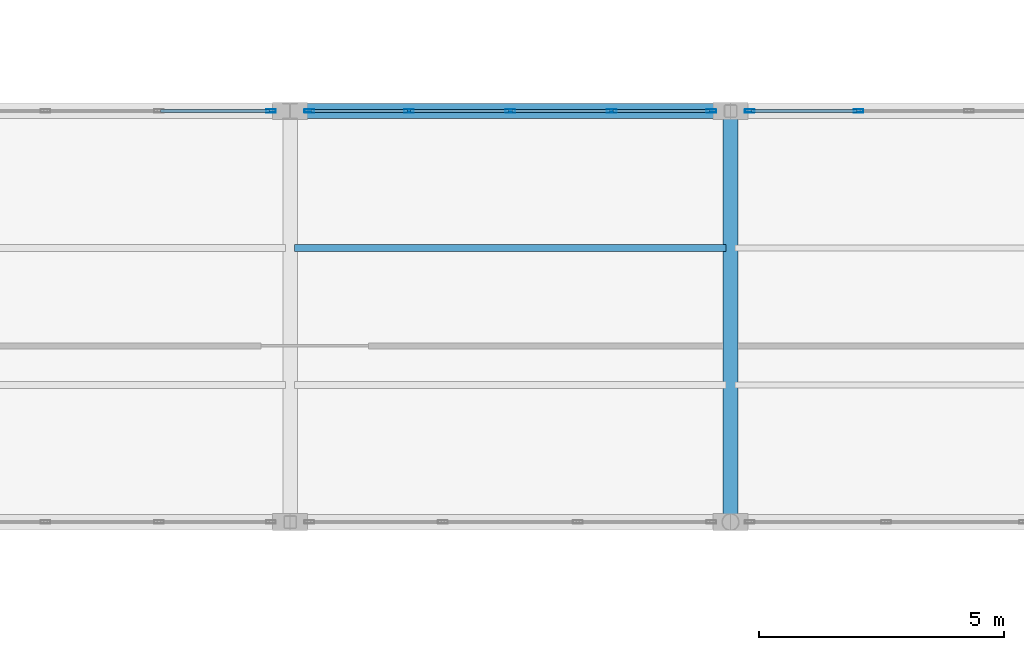
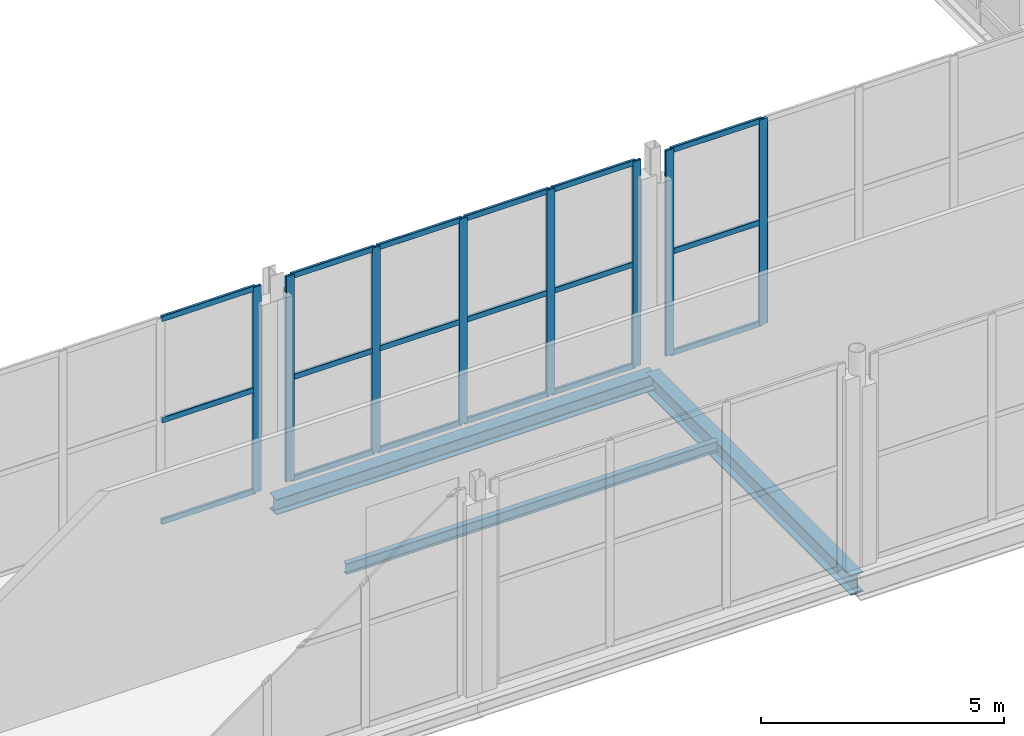
# One storey, part 88 of 147: 26 members, 3 beams, 3 elements without a shape of their own.
"""IFC4 building model written with IfcOpenShell, lengths in metres."""

from ifc_helpers import new_model, si_unit, direction, frame, origin, origin_2d, place, context, subcontext, project, spatial, hollow_rectangle, i_section, extrude, material, layer, layer_set, material_profile, profile_set, type_object, element, aggregate, save


model = new_model("IFC4")

# Units and contexts
model_context = context("Model", 3, precision=1e-05, world=origin(), true_north=direction((0.0, 1.0)))
body_context = subcontext(model_context, "Body", "Model", "MODEL_VIEW")
ifc_project = project(units=[si_unit("LENGTHUNIT", "METRE"), si_unit("AREAUNIT", "SQUARE_METRE"), si_unit("VOLUMEUNIT", "CUBIC_METRE"), si_unit("PLANEANGLEUNIT", "RADIAN"), si_unit("MASSUNIT", "GRAM", prefix="KILO")], contexts=[model_context])

# Site, building, storey
site_placement = place(None, origin())
site = spatial("IfcSite", under=ifc_project, at=site_placement, CompositionType="ELEMENT")
building_placement = place(site_placement, origin())
building = spatial("IfcBuilding", under=site, at=building_placement, Name="Vekula Escarpment Museum", CompositionType="ELEMENT")
storey_placement = place(building_placement, frame((0.0, 0.0, 7.800048828125)))
storey = spatial("IfcBuildingStorey", under=building, at=storey_placement, Name="L02", CompositionType="ELEMENT", Elevation=7.800048828125)

# Beams
ifc_material_1 = material(Name="Steel S355", Category="steel")
ifc_material_profile_1 = material_profile(ifc_material_1, i_section(OverallWidth=0.300048828125, OverallDepth=0.5, WebThickness=0.014404296875, FlangeThickness=0.028076171875, FilletRadius=0.027099609375, at=origin_2d()), Name="HEB 500")
ifc_profile_set_1 = profile_set([ifc_material_profile_1], Name="Steel S355")
beam_type_1 = type_object("IfcBeamType", Name="BM-GIRD-HEB500", PredefinedType="BEAM", material=ifc_profile_set_1)
beam_1_placement = place(storey_placement, frame((155.0, 68.0, -0.510009765625), z_axis=(0.0, 1.0, 0.0), x_axis=(-1.0, 0.0, 0.0)))
element("IfcBeam", 1, at=beam_1_placement, inside=storey, type_object=beam_type_1, Name="Beam Y L02 1219", PredefinedType="BEAM", context=body_context, shape_type="SweptSolid", body=[
    extrude(i_section(OverallWidth=0.300048828125, OverallDepth=0.5, WebThickness=0.014404296875, FlangeThickness=0.028076171875, FilletRadius=0.027099609375, at=origin_2d()), origin(), (0.0, 0.0, 1.0), 8.39990234375),
])
ifc_material_2 = material(Name="Steel S355", Category="steel")
ifc_material_profile_2 = material_profile(ifc_material_2, i_section(OverallWidth=0.135009765625, OverallDepth=0.27001953125, WebThickness=0.006591796875, FlangeThickness=0.01025390625, FilletRadius=0.014892578125, at=origin_2d()), Name="IPE 270")
ifc_profile_set_2 = profile_set([ifc_material_profile_2], Name="Steel S355")
beam_type_2 = type_object("IfcBeamType", Name="BM-JST-IPE270", PredefinedType="JOIST", material=ifc_profile_set_2)
beam_2_placement = place(storey_placement, frame((146.090087890625, 73.60009765625, -0.39501953125), z_axis=(1.0, 0.0, 0.0), x_axis=(0.0, 1.0, 0.0)))
element("IfcBeam", 2, at=beam_2_placement, inside=storey, type_object=beam_type_2, Name="Secondary Joist L02 0834", PredefinedType="JOIST", context=body_context, shape_type="SweptSolid", body=[
    extrude(i_section(OverallWidth=0.135009765625, OverallDepth=0.27001953125, WebThickness=0.006591796875, FlangeThickness=0.01025390625, FilletRadius=0.014892578125, at=origin_2d()), origin(), (0.0, 0.0, 1.0), 8.81982421875),
])
ifc_material_3 = material(Name="Steel S355", Category="steel")
ifc_material_profile_3 = material_profile(ifc_material_3, i_section(OverallWidth=0.300048828125, OverallDepth=0.389892578125, WebThickness=0.010986328125, FlangeThickness=0.01904296875, FilletRadius=0.027099609375, at=origin_2d()), Name="HEA 400")
ifc_profile_set_3 = profile_set([ifc_material_profile_3], Name="Steel S355")
beam_type_3 = type_object("IfcBeamType", Name="BM-SPAN-HEA400", PredefinedType="SPANDREL", material=ifc_profile_set_3)
beam_3_placement = place(storey_placement, frame((146.0, 76.39990234375, -0.455078125), z_axis=(1.0, 0.0, 0.0), x_axis=(0.0, 1.0, 0.0)))
element("IfcBeam", 3, at=beam_3_placement, inside=storey, type_object=beam_type_3, Name="Beam X L02 0926", PredefinedType="SPANDREL", context=body_context, shape_type="SweptSolid", body=[
    extrude(i_section(OverallWidth=0.300048828125, OverallDepth=0.389892578125, WebThickness=0.010986328125, FlangeThickness=0.01904296875, FilletRadius=0.027099609375, at=origin_2d()), origin(), (0.0, 0.0, 1.0), 9.0),
])

# Curtain wall, members
ifc_material_4 = material(Name="Aluminium thermally broken framing", Category="aluminium")
ifc_layer_1 = layer(ifc_material_4, 0.169921875)
ifc_layer_set_1 = layer_set([ifc_layer_1], Name="Aluminium thermally broken framing")
curtain_wall_type_1 = type_object("IfcCurtainWallType", Name="CW-SYS-10", PredefinedType="NOTDEFINED", material=ifc_layer_set_1)
curtain_wall_1_placement = place(storey_placement, origin())
curtain_wall_1 = element("IfcCurtainWall", 4, at=curtain_wall_1_placement, inside=storey, type_object=curtain_wall_type_1, Name="Curtain Wall CW-L02-070", PredefinedType="NOTDEFINED")
ifc_material_5 = material(Name="Aluminium anodized mullion", Category="aluminium")
ifc_material_profile_4 = material_profile(ifc_material_5, hollow_rectangle(XDim=0.06494140625, YDim=0.199951171875, WallThickness=0.00390625, InnerFilletRadius=0.00390625, OuterFilletRadius=0.008056640625, at=origin_2d()), Name="ALU 200x65x4")
ifc_profile_set_4 = profile_set([ifc_material_profile_4], Name="Aluminium anodized mullion")
member_type_1 = type_object("IfcMemberType", Name="CW-MUL-200", PredefinedType="MULLION", material=ifc_profile_set_4)
member_1_placement = place(storey_placement, frame((157.615966796875, 76.39990234375, 0.0), z_axis=(0.0, 0.0, 1.0), x_axis=(0.0, -1.0, 0.0)))
member_1 = element("IfcMember", 5, at=member_1_placement, type_object=member_type_1, Name="CW-10 mullion 5", PredefinedType="MULLION", context=body_context, shape_type="SweptSolid", body=[
    extrude(hollow_rectangle(XDim=0.06494140625, YDim=0.199951171875, WallThickness=0.00390625, InnerFilletRadius=0.00390625, OuterFilletRadius=0.008056640625, at=origin_2d()), origin(), (0.0, 0.0, 1.0), 5.14990234375),
])
member_2_placement = place(storey_placement, frame((155.392578125, 76.39990234375, 0.0), z_axis=(0.0, 0.0, 1.0), x_axis=(0.0, -1.0, 0.0)))
member_2 = element("IfcMember", 6, at=member_2_placement, type_object=member_type_1, Name="CW-10 mullion 6", PredefinedType="MULLION", context=body_context, shape_type="SweptSolid", body=[
    extrude(hollow_rectangle(XDim=0.06494140625, YDim=0.199951171875, WallThickness=0.00390625, InnerFilletRadius=0.00390625, OuterFilletRadius=0.008056640625, at=origin_2d()), origin(), (0.0, 0.0, 1.0), 5.14990234375),
])

ifc_material_6 = material(Name="Aluminium thermally broken framing", Category="aluminium")
ifc_layer_2 = layer(ifc_material_6, 0.159912109375)
ifc_layer_set_2 = layer_set([ifc_layer_2], Name="Aluminium thermally broken framing")
curtain_wall_type_2 = type_object("IfcCurtainWallType", Name="CW-SYS-01", PredefinedType="NOTDEFINED", material=ifc_layer_set_2)
curtain_wall_2_placement = place(storey_placement, origin())
curtain_wall_2 = element("IfcCurtainWall", 7, at=curtain_wall_2_placement, inside=storey, type_object=curtain_wall_type_2, Name="Curtain Wall CW-L02-071", PredefinedType="NOTDEFINED")
member_3_placement = place(storey_placement, frame((154.607421875, 76.39990234375, 0.0), z_axis=(0.0, 0.0, 1.0), x_axis=(0.0, -1.0, 0.0)))
member_3 = element("IfcMember", 8, at=member_3_placement, type_object=member_type_1, Name="CW-01 mullion 1", PredefinedType="MULLION", context=body_context, shape_type="SweptSolid", body=[
    extrude(hollow_rectangle(XDim=0.06494140625, YDim=0.199951171875, WallThickness=0.00390625, InnerFilletRadius=0.00390625, OuterFilletRadius=0.008056640625, at=origin_2d()), origin(), (0.0, 0.0, 1.0), 5.14990234375),
])
member_4_placement = place(storey_placement, frame((152.570068359375, 76.39990234375, 0.0), z_axis=(0.0, 0.0, 1.0), x_axis=(0.0, -1.0, 0.0)))
member_4 = element("IfcMember", 9, at=member_4_placement, type_object=member_type_1, Name="CW-01 mullion 2", PredefinedType="MULLION", context=body_context, shape_type="SweptSolid", body=[
    extrude(hollow_rectangle(XDim=0.06494140625, YDim=0.199951171875, WallThickness=0.00390625, InnerFilletRadius=0.00390625, OuterFilletRadius=0.008056640625, at=origin_2d()), origin(), (0.0, 0.0, 1.0), 5.14990234375),
])
member_5_placement = place(storey_placement, frame((150.5, 76.39990234375, 0.0), z_axis=(0.0, 0.0, 1.0), x_axis=(0.0, -1.0, 0.0)))
member_5 = element("IfcMember", 10, at=member_5_placement, type_object=member_type_1, Name="CW-01 mullion 3", PredefinedType="MULLION", context=body_context, shape_type="SweptSolid", body=[
    extrude(hollow_rectangle(XDim=0.06494140625, YDim=0.199951171875, WallThickness=0.00390625, InnerFilletRadius=0.00390625, OuterFilletRadius=0.008056640625, at=origin_2d()), origin(), (0.0, 0.0, 1.0), 5.14990234375),
])
member_6_placement = place(storey_placement, frame((148.429931640625, 76.39990234375, 0.0), z_axis=(0.0, 0.0, 1.0), x_axis=(0.0, -1.0, 0.0)))
member_6 = element("IfcMember", 11, at=member_6_placement, type_object=member_type_1, Name="CW-01 mullion 4", PredefinedType="MULLION", context=body_context, shape_type="SweptSolid", body=[
    extrude(hollow_rectangle(XDim=0.06494140625, YDim=0.199951171875, WallThickness=0.00390625, InnerFilletRadius=0.00390625, OuterFilletRadius=0.008056640625, at=origin_2d()), origin(), (0.0, 0.0, 1.0), 5.14990234375),
])
member_7_placement = place(storey_placement, frame((146.392578125, 76.39990234375, 0.0), z_axis=(0.0, 0.0, 1.0), x_axis=(0.0, -1.0, 0.0)))
member_7 = element("IfcMember", 12, at=member_7_placement, type_object=member_type_1, Name="CW-01 mullion 5", PredefinedType="MULLION", context=body_context, shape_type="SweptSolid", body=[
    extrude(hollow_rectangle(XDim=0.06494140625, YDim=0.199951171875, WallThickness=0.00390625, InnerFilletRadius=0.00390625, OuterFilletRadius=0.008056640625, at=origin_2d()), origin(), (0.0, 0.0, 1.0), 5.14990234375),
])

# Curtain wall, member
ifc_material_7 = material(Name="Aluminium thermally broken framing", Category="aluminium")
ifc_layer_3 = layer(ifc_material_7, 0.159912109375)
ifc_layer_set_3 = layer_set([ifc_layer_3], Name="Aluminium thermally broken framing")
curtain_wall_type_3 = type_object("IfcCurtainWallType", Name="CW-SYS-02", PredefinedType="NOTDEFINED", material=ifc_layer_set_3)
curtain_wall_3_placement = place(storey_placement, origin())
curtain_wall_3 = element("IfcCurtainWall", 13, at=curtain_wall_3_placement, inside=storey, type_object=curtain_wall_type_3, Name="Curtain Wall CW-L02-072", PredefinedType="NOTDEFINED")
member_8_placement = place(storey_placement, frame((145.607421875, 76.39990234375, 0.0), z_axis=(0.0, 0.0, 1.0), x_axis=(0.0, -1.0, 0.0)))
member_8 = element("IfcMember", 14, at=member_8_placement, type_object=member_type_1, Name="CW-02 mullion 1", PredefinedType="MULLION", context=body_context, shape_type="SweptSolid", body=[
    extrude(hollow_rectangle(XDim=0.06494140625, YDim=0.199951171875, WallThickness=0.00390625, InnerFilletRadius=0.00390625, OuterFilletRadius=0.008056640625, at=origin_2d()), origin(), (0.0, 0.0, 1.0), 5.14990234375),
])

# Member
ifc_material_8 = material(Name="Aluminium anodized transom", Category="aluminium")
ifc_material_profile_5 = material_profile(ifc_material_8, hollow_rectangle(XDim=0.06494140625, YDim=0.139892578125, WallThickness=0.00390625, InnerFilletRadius=0.00390625, OuterFilletRadius=0.008056640625, at=origin_2d()), Name="ALU 140x65x4")
ifc_profile_set_5 = profile_set([ifc_material_profile_5], Name="Aluminium anodized transom")
member_type_2 = type_object("IfcMemberType", Name="CW-TRN-140", PredefinedType="USERDEFINED", material=ifc_profile_set_5)
member_9_placement = place(storey_placement, frame((157.58349609375, 76.39990234375, 0.032470703125), z_axis=(-1.0, 0.0, 0.0), x_axis=(0.0, -1.0, 0.0)))
member_9 = element("IfcMember", 15, at=member_9_placement, type_object=member_type_2, Name="CW-10 transom 5.1", ObjectType="TRANSOM", PredefinedType="USERDEFINED", context=body_context, shape_type="SweptSolid", body=[
    extrude(hollow_rectangle(XDim=0.06494140625, YDim=0.139892578125, WallThickness=0.00390625, InnerFilletRadius=0.00390625, OuterFilletRadius=0.008056640625, at=origin_2d()), origin(), (0.0, 0.0, 1.0), 2.158447265625),
])

member_10_placement = place(storey_placement, frame((157.58349609375, 76.39990234375, 2.574951171875), z_axis=(-1.0, 0.0, 0.0), x_axis=(0.0, -1.0, 0.0)))
member_10 = element("IfcMember", 16, at=member_10_placement, type_object=member_type_2, Name="CW-10 transom 5.2", ObjectType="TRANSOM", PredefinedType="USERDEFINED", context=body_context, shape_type="SweptSolid", body=[
    extrude(hollow_rectangle(XDim=0.06494140625, YDim=0.139892578125, WallThickness=0.00390625, InnerFilletRadius=0.00390625, OuterFilletRadius=0.008056640625, at=origin_2d()), origin(), (0.0, 0.0, 1.0), 2.158447265625),
])

member_11_placement = place(storey_placement, frame((157.58349609375, 76.39990234375, 5.117431640625), z_axis=(-1.0, 0.0, 0.0), x_axis=(0.0, -1.0, 0.0)))
member_11 = element("IfcMember", 17, at=member_11_placement, type_object=member_type_2, Name="CW-10 transom 5.3", ObjectType="TRANSOM", PredefinedType="USERDEFINED", context=body_context, shape_type="SweptSolid", body=[
    extrude(hollow_rectangle(XDim=0.06494140625, YDim=0.139892578125, WallThickness=0.00390625, InnerFilletRadius=0.00390625, OuterFilletRadius=0.008056640625, at=origin_2d()), origin(), (0.0, 0.0, 1.0), 2.158447265625),
])

aggregate(curtain_wall_1, [member_1, member_2, member_9, member_10, member_11])

member_12_placement = place(storey_placement, frame((154.574951171875, 76.39990234375, 0.032470703125), z_axis=(-1.0, 0.0, 0.0), x_axis=(0.0, -1.0, 0.0)))
member_12 = element("IfcMember", 18, at=member_12_placement, type_object=member_type_2, Name="CW-01 transom 1.1", ObjectType="TRANSOM", PredefinedType="USERDEFINED", context=body_context, shape_type="SweptSolid", body=[
    extrude(hollow_rectangle(XDim=0.06494140625, YDim=0.139892578125, WallThickness=0.00390625, InnerFilletRadius=0.00390625, OuterFilletRadius=0.008056640625, at=origin_2d()), origin(), (0.0, 0.0, 1.0), 1.972412109375),
])

member_13_placement = place(storey_placement, frame((154.574951171875, 76.39990234375, 2.574951171875), z_axis=(-1.0, 0.0, 0.0), x_axis=(0.0, -1.0, 0.0)))
member_13 = element("IfcMember", 19, at=member_13_placement, type_object=member_type_2, Name="CW-01 transom 1.2", ObjectType="TRANSOM", PredefinedType="USERDEFINED", context=body_context, shape_type="SweptSolid", body=[
    extrude(hollow_rectangle(XDim=0.06494140625, YDim=0.139892578125, WallThickness=0.00390625, InnerFilletRadius=0.00390625, OuterFilletRadius=0.008056640625, at=origin_2d()), origin(), (0.0, 0.0, 1.0), 1.972412109375),
])

member_14_placement = place(storey_placement, frame((154.574951171875, 76.39990234375, 5.117431640625), z_axis=(-1.0, 0.0, 0.0), x_axis=(0.0, -1.0, 0.0)))
member_14 = element("IfcMember", 20, at=member_14_placement, type_object=member_type_2, Name="CW-01 transom 1.3", ObjectType="TRANSOM", PredefinedType="USERDEFINED", context=body_context, shape_type="SweptSolid", body=[
    extrude(hollow_rectangle(XDim=0.06494140625, YDim=0.139892578125, WallThickness=0.00390625, InnerFilletRadius=0.00390625, OuterFilletRadius=0.008056640625, at=origin_2d()), origin(), (0.0, 0.0, 1.0), 1.972412109375),
])

member_15_placement = place(storey_placement, frame((152.53759765625, 76.39990234375, 0.032470703125), z_axis=(-1.0, 0.0, 0.0), x_axis=(0.0, -1.0, 0.0)))
member_15 = element("IfcMember", 21, at=member_15_placement, type_object=member_type_2, Name="CW-01 transom 2.1", ObjectType="TRANSOM", PredefinedType="USERDEFINED", context=body_context, shape_type="SweptSolid", body=[
    extrude(hollow_rectangle(XDim=0.06494140625, YDim=0.139892578125, WallThickness=0.00390625, InnerFilletRadius=0.00390625, OuterFilletRadius=0.008056640625, at=origin_2d()), origin(), (0.0, 0.0, 1.0), 2.005126953125),
])

member_16_placement = place(storey_placement, frame((152.53759765625, 76.39990234375, 2.574951171875), z_axis=(-1.0, 0.0, 0.0), x_axis=(0.0, -1.0, 0.0)))
member_16 = element("IfcMember", 22, at=member_16_placement, type_object=member_type_2, Name="CW-01 transom 2.2", ObjectType="TRANSOM", PredefinedType="USERDEFINED", context=body_context, shape_type="SweptSolid", body=[
    extrude(hollow_rectangle(XDim=0.06494140625, YDim=0.139892578125, WallThickness=0.00390625, InnerFilletRadius=0.00390625, OuterFilletRadius=0.008056640625, at=origin_2d()), origin(), (0.0, 0.0, 1.0), 2.005126953125),
])

member_17_placement = place(storey_placement, frame((152.53759765625, 76.39990234375, 5.117431640625), z_axis=(-1.0, 0.0, 0.0), x_axis=(0.0, -1.0, 0.0)))
member_17 = element("IfcMember", 23, at=member_17_placement, type_object=member_type_2, Name="CW-01 transom 2.3", ObjectType="TRANSOM", PredefinedType="USERDEFINED", context=body_context, shape_type="SweptSolid", body=[
    extrude(hollow_rectangle(XDim=0.06494140625, YDim=0.139892578125, WallThickness=0.00390625, InnerFilletRadius=0.00390625, OuterFilletRadius=0.008056640625, at=origin_2d()), origin(), (0.0, 0.0, 1.0), 2.005126953125),
])

member_18_placement = place(storey_placement, frame((150.467529296875, 76.39990234375, 0.032470703125), z_axis=(-1.0, 0.0, 0.0), x_axis=(0.0, -1.0, 0.0)))
member_18 = element("IfcMember", 24, at=member_18_placement, type_object=member_type_2, Name="CW-01 transom 3.1", ObjectType="TRANSOM", PredefinedType="USERDEFINED", context=body_context, shape_type="SweptSolid", body=[
    extrude(hollow_rectangle(XDim=0.06494140625, YDim=0.139892578125, WallThickness=0.00390625, InnerFilletRadius=0.00390625, OuterFilletRadius=0.008056640625, at=origin_2d()), origin(), (0.0, 0.0, 1.0), 2.005126953125),
])

member_19_placement = place(storey_placement, frame((150.467529296875, 76.39990234375, 2.574951171875), z_axis=(-1.0, 0.0, 0.0), x_axis=(0.0, -1.0, 0.0)))
member_19 = element("IfcMember", 25, at=member_19_placement, type_object=member_type_2, Name="CW-01 transom 3.2", ObjectType="TRANSOM", PredefinedType="USERDEFINED", context=body_context, shape_type="SweptSolid", body=[
    extrude(hollow_rectangle(XDim=0.06494140625, YDim=0.139892578125, WallThickness=0.00390625, InnerFilletRadius=0.00390625, OuterFilletRadius=0.008056640625, at=origin_2d()), origin(), (0.0, 0.0, 1.0), 2.005126953125),
])

member_20_placement = place(storey_placement, frame((150.467529296875, 76.39990234375, 5.117431640625), z_axis=(-1.0, 0.0, 0.0), x_axis=(0.0, -1.0, 0.0)))
member_20 = element("IfcMember", 26, at=member_20_placement, type_object=member_type_2, Name="CW-01 transom 3.3", ObjectType="TRANSOM", PredefinedType="USERDEFINED", context=body_context, shape_type="SweptSolid", body=[
    extrude(hollow_rectangle(XDim=0.06494140625, YDim=0.139892578125, WallThickness=0.00390625, InnerFilletRadius=0.00390625, OuterFilletRadius=0.008056640625, at=origin_2d()), origin(), (0.0, 0.0, 1.0), 2.005126953125),
])

member_21_placement = place(storey_placement, frame((148.3974609375, 76.39990234375, 0.032470703125), z_axis=(-1.0, 0.0, 0.0), x_axis=(0.0, -1.0, 0.0)))
member_21 = element("IfcMember", 27, at=member_21_placement, type_object=member_type_2, Name="CW-01 transom 4.1", ObjectType="TRANSOM", PredefinedType="USERDEFINED", context=body_context, shape_type="SweptSolid", body=[
    extrude(hollow_rectangle(XDim=0.06494140625, YDim=0.139892578125, WallThickness=0.00390625, InnerFilletRadius=0.00390625, OuterFilletRadius=0.008056640625, at=origin_2d()), origin(), (0.0, 0.0, 1.0), 1.972412109375),
])

member_22_placement = place(storey_placement, frame((148.3974609375, 76.39990234375, 2.574951171875), z_axis=(-1.0, 0.0, 0.0), x_axis=(0.0, -1.0, 0.0)))
member_22 = element("IfcMember", 28, at=member_22_placement, type_object=member_type_2, Name="CW-01 transom 4.2", ObjectType="TRANSOM", PredefinedType="USERDEFINED", context=body_context, shape_type="SweptSolid", body=[
    extrude(hollow_rectangle(XDim=0.06494140625, YDim=0.139892578125, WallThickness=0.00390625, InnerFilletRadius=0.00390625, OuterFilletRadius=0.008056640625, at=origin_2d()), origin(), (0.0, 0.0, 1.0), 1.972412109375),
])

member_23_placement = place(storey_placement, frame((148.3974609375, 76.39990234375, 5.117431640625), z_axis=(-1.0, 0.0, 0.0), x_axis=(0.0, -1.0, 0.0)))
member_23 = element("IfcMember", 29, at=member_23_placement, type_object=member_type_2, Name="CW-01 transom 4.3", ObjectType="TRANSOM", PredefinedType="USERDEFINED", context=body_context, shape_type="SweptSolid", body=[
    extrude(hollow_rectangle(XDim=0.06494140625, YDim=0.139892578125, WallThickness=0.00390625, InnerFilletRadius=0.00390625, OuterFilletRadius=0.008056640625, at=origin_2d()), origin(), (0.0, 0.0, 1.0), 1.972412109375),
])

aggregate(curtain_wall_2, [member_3, member_4, member_5, member_6, member_7, member_12, member_13, member_14, member_15, member_16, member_17, member_18, member_19, member_20, member_21, member_22, member_23])

member_24_placement = place(storey_placement, frame((145.574951171875, 76.39990234375, 0.032470703125), z_axis=(-1.0, 0.0, 0.0), x_axis=(0.0, -1.0, 0.0)))
member_24 = element("IfcMember", 30, at=member_24_placement, type_object=member_type_2, Name="CW-02 transom 1.1", ObjectType="TRANSOM", PredefinedType="USERDEFINED", context=body_context, shape_type="SweptSolid", body=[
    extrude(hollow_rectangle(XDim=0.06494140625, YDim=0.139892578125, WallThickness=0.00390625, InnerFilletRadius=0.00390625, OuterFilletRadius=0.008056640625, at=origin_2d()), origin(), (0.0, 0.0, 1.0), 2.222412109375),
])

member_25_placement = place(storey_placement, frame((145.574951171875, 76.39990234375, 2.574951171875), z_axis=(-1.0, 0.0, 0.0), x_axis=(0.0, -1.0, 0.0)))
member_25 = element("IfcMember", 31, at=member_25_placement, type_object=member_type_2, Name="CW-02 transom 1.2", ObjectType="TRANSOM", PredefinedType="USERDEFINED", context=body_context, shape_type="SweptSolid", body=[
    extrude(hollow_rectangle(XDim=0.06494140625, YDim=0.139892578125, WallThickness=0.00390625, InnerFilletRadius=0.00390625, OuterFilletRadius=0.008056640625, at=origin_2d()), origin(), (0.0, 0.0, 1.0), 2.222412109375),
])

member_26_placement = place(storey_placement, frame((145.574951171875, 76.39990234375, 5.117431640625), z_axis=(-1.0, 0.0, 0.0), x_axis=(0.0, -1.0, 0.0)))
member_26 = element("IfcMember", 32, at=member_26_placement, type_object=member_type_2, Name="CW-02 transom 1.3", ObjectType="TRANSOM", PredefinedType="USERDEFINED", context=body_context, shape_type="SweptSolid", body=[
    extrude(hollow_rectangle(XDim=0.06494140625, YDim=0.139892578125, WallThickness=0.00390625, InnerFilletRadius=0.00390625, OuterFilletRadius=0.008056640625, at=origin_2d()), origin(), (0.0, 0.0, 1.0), 2.222412109375),
])

aggregate(curtain_wall_3, [member_8, member_24, member_25, member_26])

save(model, "model.ifc")
